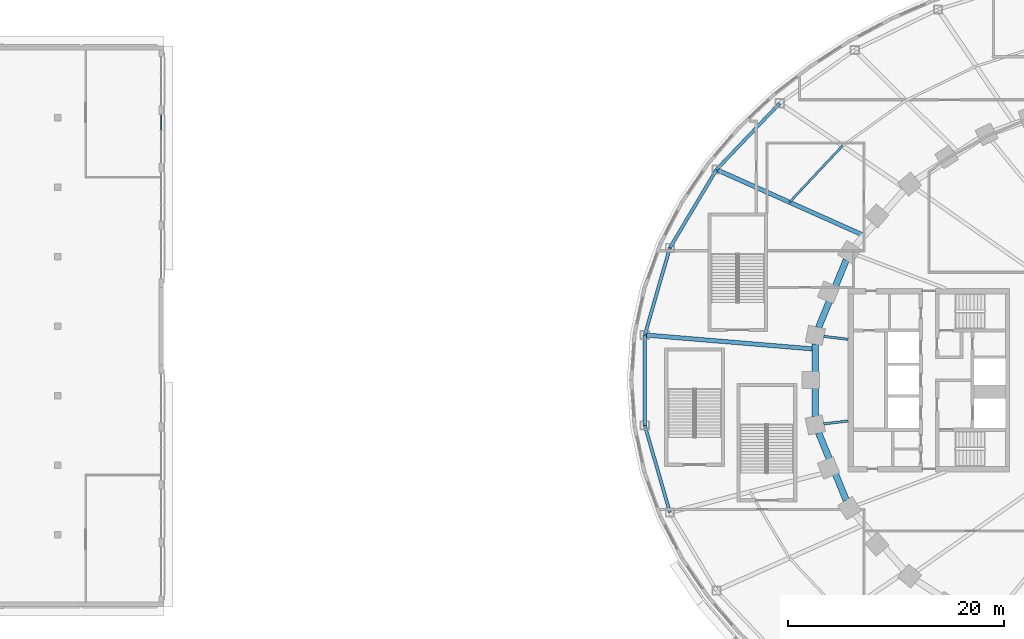
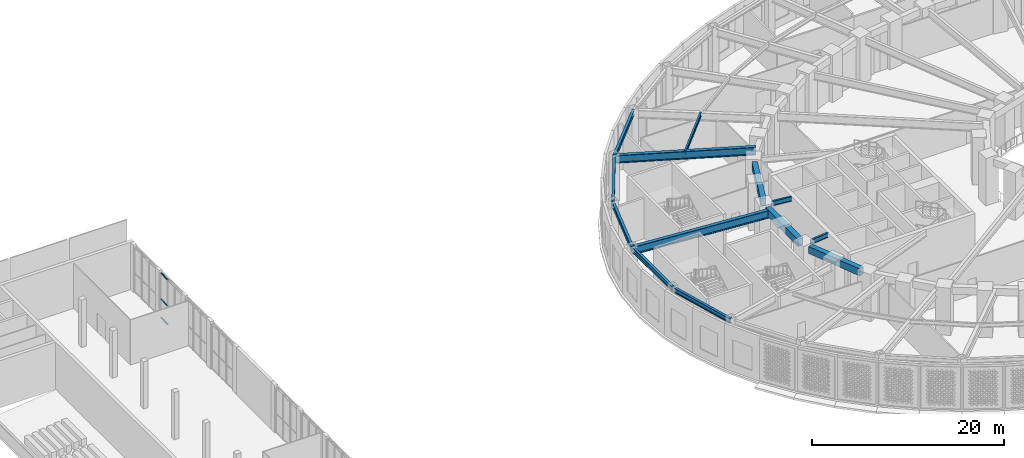
# One storey, part 10 of 74: 13 beams, 3 members, 1 element without a shape of its own.
"""IFC4 building model written with IfcOpenShell, lengths in metres."""

from ifc_helpers import new_model, si_unit, direction, frame, origin, origin_2d, place, context, subcontext, project, spatial, rectangle, i_section, extrude, material, layer, layer_set, material_profile, profile_set, type_object, element, aggregate, save


model = new_model("IFC4")

# Units and contexts
model_context = context("Model", 3, precision=1e-05, world=origin(), true_north=direction((0.0, 1.0)))
body_context = subcontext(model_context, "Body", "Model", "MODEL_VIEW")
ifc_project = project(units=[si_unit("LENGTHUNIT", "METRE"), si_unit("AREAUNIT", "SQUARE_METRE"), si_unit("VOLUMEUNIT", "CUBIC_METRE"), si_unit("PLANEANGLEUNIT", "RADIAN"), si_unit("MASSUNIT", "GRAM", prefix="KILO")], contexts=[model_context])

# Site, building, storey
site_placement = place(None, origin())
site = spatial("IfcSite", under=ifc_project, at=site_placement, CompositionType="ELEMENT")
building_placement = place(site_placement, origin())
building = spatial("IfcBuilding", under=site, at=building_placement, Name="Noorbagh Ring Tower", CompositionType="ELEMENT")
storey_placement = place(building_placement, frame((0.0, 0.0, 13.5)))
storey = spatial("IfcBuildingStorey", under=building, at=storey_placement, Name="L02", CompositionType="ELEMENT", Elevation=13.5)

# Beams
ifc_material_1 = material(Name="Steel S355", Category="steel")
ifc_material_profile_1 = material_profile(ifc_material_1, i_section(OverallWidth=0.300048828125, OverallDepth=0.60009765625, WebThickness=0.015380859375, FlangeThickness=0.030029296875, FilletRadius=0.027099609375, at=origin_2d()), Name="HEB600")
ifc_profile_set_1 = profile_set([ifc_material_profile_1], Name="Steel S355")
beam_type_1 = type_object("IfcBeamType", Name="GND-EDGE-BEAM-HEB600", PredefinedType="BEAM", material=ifc_profile_set_1)
beam_1_placement = place(storey_placement, frame((-37.8330078125, 25.679931640625, 5.449951171875), z_axis=(-0.689738356688, -0.724058698804, 0.0), x_axis=(0.724058698804, -0.689738356688, 0.0)))
element("IfcBeam", 1, at=beam_1_placement, inside=storey, type_object=beam_type_1, Name="L02/bm/ERP-14", PredefinedType="BEAM", context=body_context, shape_type="SweptSolid", body=[
    extrude(i_section(OverallWidth=0.300048828125, OverallDepth=0.60009765625, WebThickness=0.015380859375, FlangeThickness=0.030029296875, FilletRadius=0.027099609375, at=origin_2d()), origin(), (0.0, 0.0, 1.0), 8.500732421875),
])
beam_2_placement = place(storey_placement, frame((-43.6962890625, 19.52490234375, 5.449951171875), z_axis=(-0.511999358166, -0.858985830638, 0.0), x_axis=(0.858985830638, -0.511999358166, 0.0)))
element("IfcBeam", 2, at=beam_2_placement, inside=storey, type_object=beam_type_1, Name="L02/bm/ERP-15", PredefinedType="BEAM", context=body_context, shape_type="SweptSolid", body=[
    extrude(i_section(OverallWidth=0.300048828125, OverallDepth=0.60009765625, WebThickness=0.015380859375, FlangeThickness=0.030029296875, FilletRadius=0.027099609375, at=origin_2d()), origin(), (0.0, 0.0, 1.0), 8.449462890625),
])
beam_3_placement = place(storey_placement, frame((-48.0224609375, 12.266845703125, 5.449951171875), z_axis=(-0.276646874617, -0.960971647222, 0.0), x_axis=(0.960971647222, -0.276646874617, 0.0)))
element("IfcBeam", 3, at=beam_3_placement, inside=storey, type_object=beam_type_1, Name="L02/bm/ERP-16", PredefinedType="BEAM", context=body_context, shape_type="SweptSolid", body=[
    extrude(i_section(OverallWidth=0.300048828125, OverallDepth=0.60009765625, WebThickness=0.015380859375, FlangeThickness=0.030029296875, FilletRadius=0.027099609375, at=origin_2d()), origin(), (0.0, 0.0, 1.0), 8.403076171875),
])
beam_4_placement = place(storey_placement, frame((-50.34716796875, 4.191650390625, 5.449951171875), z_axis=(0.0, -1.0, 0.0), x_axis=(1.0, 0.0, 0.0)))
element("IfcBeam", 4, at=beam_4_placement, inside=storey, type_object=beam_type_1, Name="L02/bm/ERP-17", PredefinedType="BEAM", context=body_context, shape_type="SweptSolid", body=[
    extrude(i_section(OverallWidth=0.300048828125, OverallDepth=0.60009765625, WebThickness=0.015380859375, FlangeThickness=0.030029296875, FilletRadius=0.027099609375, at=origin_2d()), origin(), (0.0, 0.0, 1.0), 8.38330078125),
])
beam_5_placement = place(storey_placement, frame((-50.34716796875, -4.191650390625, 5.449951171875), z_axis=(0.276646874617, -0.960971647222, 0.0), x_axis=(0.960971647222, 0.276646874617, 0.0)))
element("IfcBeam", 5, at=beam_5_placement, inside=storey, type_object=beam_type_1, Name="L02/bm/ERP-18", PredefinedType="BEAM", context=body_context, shape_type="SweptSolid", body=[
    extrude(i_section(OverallWidth=0.300048828125, OverallDepth=0.60009765625, WebThickness=0.015380859375, FlangeThickness=0.030029296875, FilletRadius=0.027099609375, at=origin_2d()), origin(), (0.0, 0.0, 1.0), 8.403076171875),
])
ifc_material_2 = material(Name="Steel S355", Category="steel")
ifc_material_profile_2 = material_profile(ifc_material_2, i_section(OverallWidth=0.39990234375, OverallDepth=1.0, WebThickness=0.01611328125, FlangeThickness=0.0400390625, at=origin_2d()), Name="PG1000x400x16x40")
ifc_profile_set_2 = profile_set([ifc_material_profile_2], Name="Steel S355")
beam_type_2 = type_object("IfcBeamType", Name="GND-GIRDER-PG1000x400x16x40", PredefinedType="BEAM", material=ifc_profile_set_2)
beam_6_placement = place(storey_placement, frame((-43.6962890625, 19.52490234375, 5.25), z_axis=(0.91299879945, -0.4079622436, 0.0), x_axis=(0.4079622436, 0.91299879945, 0.0)))
element("IfcBeam", 6, at=beam_6_placement, inside=storey, type_object=beam_type_2, Name="L02/bm/GRP-15", PredefinedType="BEAM", context=body_context, shape_type="SweptSolid", body=[
    extrude(i_section(OverallWidth=0.39990234375, OverallDepth=1.0, WebThickness=0.01611328125, FlangeThickness=0.0400390625, at=origin_2d()), origin(), (0.0, 0.0, 1.0), 14.8359375),
])
beam_7_placement = place(storey_placement, frame((-50.34716796875, 4.191650390625, 5.25), z_axis=(0.996552811546, -0.082960796767, 0.0), x_axis=(0.082960796767, 0.996552811546, 0.0)))
element("IfcBeam", 7, at=beam_7_placement, inside=storey, type_object=beam_type_2, Name="L02/bm/GRP-17", PredefinedType="BEAM", context=body_context, shape_type="SweptSolid", body=[
    extrude(i_section(OverallWidth=0.39990234375, OverallDepth=1.0, WebThickness=0.01611328125, FlangeThickness=0.0400390625, at=origin_2d()), origin(), (0.0, 0.0, 1.0), 15.7470703125),
])
ifc_material_3 = material(Name="Steel S355", Category="steel")
ifc_material_profile_3 = material_profile(ifc_material_3, i_section(OverallWidth=0.199951171875, OverallDepth=0.5, WebThickness=0.01025390625, FlangeThickness=0.01611328125, FilletRadius=0.02099609375, at=origin_2d()), Name="IPE500")
ifc_profile_set_3 = profile_set([ifc_material_profile_3], Name="Steel S355")
beam_type_3 = type_object("IfcBeamType", Name="GND-MID-BEAM-IPE500", PredefinedType="JOIST", material=ifc_profile_set_3)
beam_8_placement = place(storey_placement, frame((-32.013916015625, 21.72998046875, 5.5), z_axis=(-0.684360968268, -0.729143377609, 0.0), x_axis=(0.729143377609, -0.684360968268, 0.0)))
element("IfcBeam", 8, at=beam_8_placement, inside=storey, type_object=beam_type_3, Name="L02/bm/MRP-14", PredefinedType="JOIST", context=body_context, shape_type="SweptSolid", body=[
    extrude(i_section(OverallWidth=0.199951171875, OverallDepth=0.5, WebThickness=0.01025390625, FlangeThickness=0.01611328125, FilletRadius=0.02099609375, at=origin_2d()), origin(), (0.0, 0.0, 1.0), 7.174560546875),
])
ifc_material_4 = material(Name="Steel S355", Category="steel")
ifc_material_profile_4 = material_profile(ifc_material_4, i_section(OverallWidth=0.219970703125, OverallDepth=0.60009765625, WebThickness=0.011962890625, FlangeThickness=0.01904296875, FilletRadius=0.02392578125, at=origin_2d()), Name="IPE600")
ifc_profile_set_4 = profile_set([ifc_material_profile_4], Name="Steel S355")
beam_type_4 = type_object("IfcBeamType", Name="STR-RAD-IPE600", PredefinedType="BEAM", material=ifc_profile_set_4)
for number, where, z_axis, x_axis, name in (
    (9, (-33.75, 4.057373046875, 5.449951171875), (0.992846993178, -0.11939366875, 0.0), (0.11939366875, 0.992846993178, 0.0), "L02/bm/RD23"),
    (10, (-33.75, -4.057373046875, 5.449951171875), (0.992846993178, 0.11939366875, 0.0), (-0.11939366875, 0.992846993178, 0.0), "L02/bm/RD25"),
):
    element("IfcBeam", number, at=place(storey_placement, frame(where, z_axis=z_axis, x_axis=x_axis)), inside=storey, type_object=beam_type_4, Name=name, PredefinedType="BEAM", context=body_context, shape_type="SweptSolid", body=[
        extrude(i_section(OverallWidth=0.219970703125, OverallDepth=0.60009765625, WebThickness=0.011962890625, FlangeThickness=0.01904296875, FilletRadius=0.02392578125, at=origin_2d()), origin(), (0.0, 0.0, 1.0), 2.2861328125),
    ])
ifc_material_5 = material(Name="Concrete C40/50", Category="concrete")
ifc_material_profile_5 = material_profile(ifc_material_5, rectangle(XDim=0.60009765625, YDim=0.89990234375, at=origin_2d()), Name="RC600x900")
ifc_profile_set_5 = profile_set([ifc_material_profile_5], Name="Concrete C40/50")
beam_type_5 = type_object("IfcBeamType", Name="STR-SB-RC600x900-C40-50", PredefinedType="BEAM", material=ifc_profile_set_5)
beam_9_placement = place(storey_placement, frame((-31.665283203125, 11.137451171875, 5.300048828125), z_axis=(-0.378998692222, -0.925397207308, 0.0), x_axis=(0.925397207308, -0.378998692222, 0.0)))
element("IfcBeam", 11, at=beam_9_placement, inside=storey, type_object=beam_type_5, Name="L02/bm/SP21", PredefinedType="BEAM", context=body_context, shape_type="SweptSolid", body=[
    extrude(rectangle(XDim=0.60009765625, YDim=0.89990234375, at=origin_2d()), origin(), (0.0, 0.0, 1.0), 6.75537109375),
])
beam_10_placement = place(storey_placement, frame((-34.52685546875, 3.354736328125, 5.300048828125), z_axis=(0.0, -1.0, 0.0), x_axis=(1.0, 0.0, 0.0)))
element("IfcBeam", 12, at=beam_10_placement, inside=storey, type_object=beam_type_5, Name="L02/bm/SP23", PredefinedType="BEAM", context=body_context, shape_type="SweptSolid", body=[
    extrude(rectangle(XDim=0.60009765625, YDim=0.89990234375, at=origin_2d()), origin(), (0.0, 0.0, 1.0), 6.70947265625),
])
beam_11_placement = place(storey_placement, frame((-34.2255859375, -4.885986328125, 5.300048828125), z_axis=(0.378998692222, -0.925397207308, 0.0), x_axis=(0.925397207308, 0.378998692222, 0.0)))
element("IfcBeam", 13, at=beam_11_placement, inside=storey, type_object=beam_type_5, Name="L02/bm/SP25", PredefinedType="BEAM", context=body_context, shape_type="SweptSolid", body=[
    extrude(rectangle(XDim=0.60009765625, YDim=0.89990234375, at=origin_2d()), origin(), (0.0, 0.0, 1.0), 6.75537109375),
])

# Curtain wall, members
ifc_material_6 = material(Name="Aluminium and glass", Category="aluminium")
ifc_layer = layer(ifc_material_6, 0.199951171875)
ifc_layer_set = layer_set([ifc_layer], Name="Aluminium and glass")
curtain_wall_type = type_object("IfcCurtainWallType", Name="TH-CW", PredefinedType="NOTDEFINED", material=ifc_layer_set)
curtain_wall_placement = place(storey_placement, origin())
curtain_wall = element("IfcCurtainWall", 14, at=curtain_wall_placement, inside=storey, type_object=curtain_wall_type, Name="Foyer glazing", PredefinedType="NOTDEFINED")
ifc_material_7 = material(Name="Aluminium", Category="aluminium")
ifc_material_profile_6 = material_profile(ifc_material_7, rectangle(XDim=0.1201171875, YDim=0.06005859375, at=origin_2d()), Name="AL 120x60")
ifc_profile_set_6 = profile_set([ifc_material_profile_6], Name="Aluminium")
member_type = type_object("IfcMemberType", Name="TH-CW-TRANSOM", PredefinedType="USERDEFINED", material=ifc_profile_set_6)
member_1_placement = place(storey_placement, frame((-95.199951171875, 23.163330078125, 0.030029296875), z_axis=(0.0, 1.0, 0.0), x_axis=(-1.0, 0.0, 0.0)))
member_1 = element("IfcMember", 15, at=member_1_placement, type_object=member_type, Name="CW-T transom 3.1", ObjectType="TRANSOM", PredefinedType="USERDEFINED", context=body_context, shape_type="SweptSolid", body=[
    extrude(rectangle(XDim=0.1201171875, YDim=0.06005859375, at=origin_2d()), origin(), (0.0, 0.0, 1.0), 1.4267578125),
])
member_2_placement = place(storey_placement, frame((-95.199951171875, 23.163330078125, 2.39990234375), z_axis=(0.0, 1.0, 0.0), x_axis=(-1.0, 0.0, 0.0)))
member_2 = element("IfcMember", 16, at=member_2_placement, type_object=member_type, Name="CW-T transom 3.2", ObjectType="TRANSOM", PredefinedType="USERDEFINED", context=body_context, shape_type="SweptSolid", body=[
    extrude(rectangle(XDim=0.1201171875, YDim=0.06005859375, at=origin_2d()), origin(), (0.0, 0.0, 1.0), 1.4267578125),
])
member_3_placement = place(storey_placement, frame((-95.199951171875, 23.163330078125, 5.669921875), z_axis=(0.0, 1.0, 0.0), x_axis=(-1.0, 0.0, 0.0)))
member_3 = element("IfcMember", 17, at=member_3_placement, type_object=member_type, Name="CW-T transom 3.3", ObjectType="TRANSOM", PredefinedType="USERDEFINED", context=body_context, shape_type="SweptSolid", body=[
    extrude(rectangle(XDim=0.1201171875, YDim=0.06005859375, at=origin_2d()), origin(), (0.0, 0.0, 1.0), 1.4267578125),
])
aggregate(curtain_wall, [member_1, member_2, member_3])

save(model, "model.ifc")
